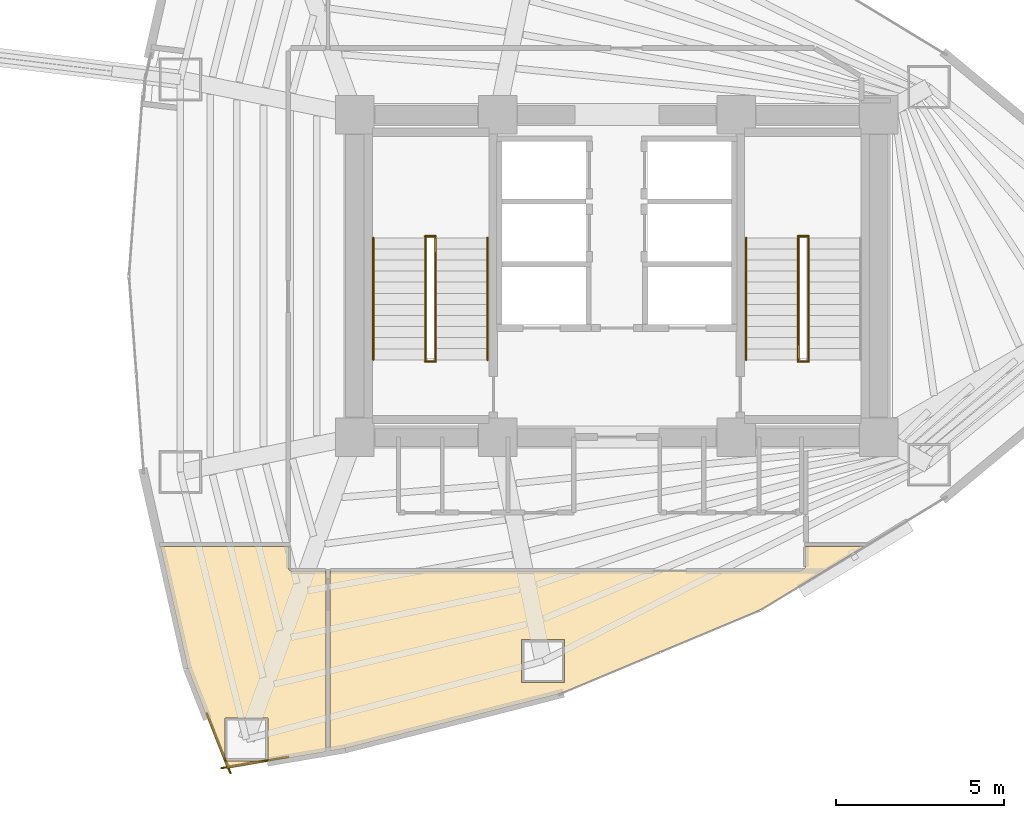
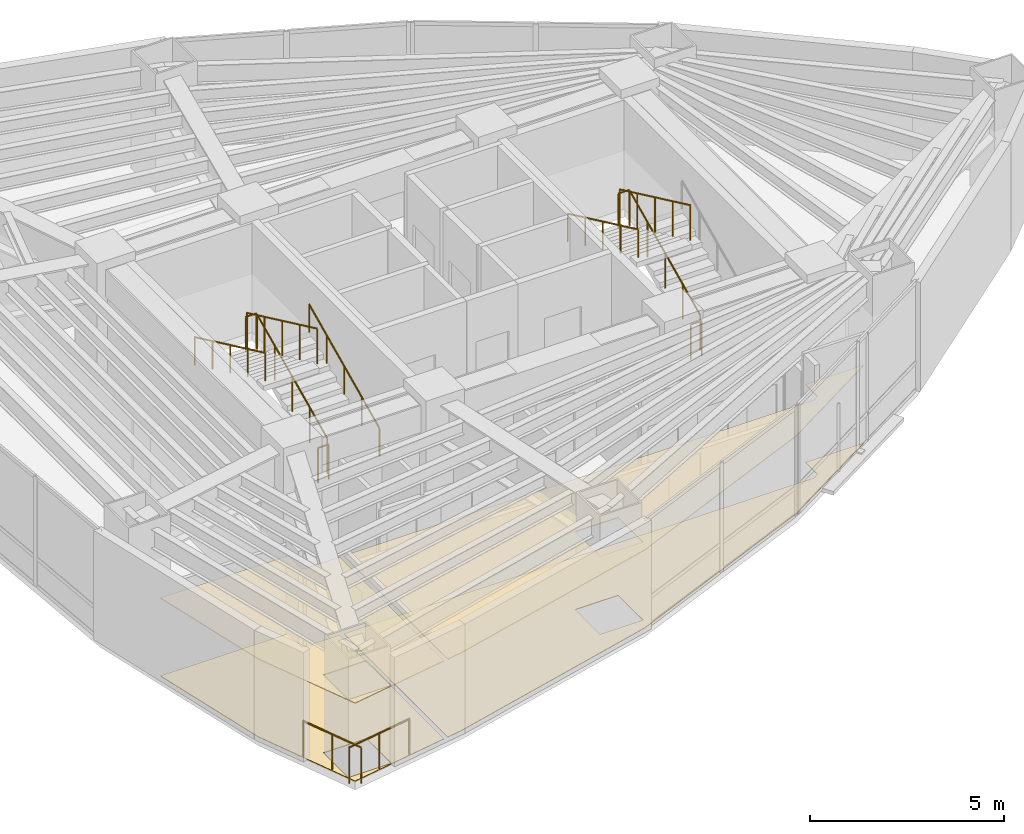
# One storey, part 15 of 17: 13 railings, 4 coverings.
"""IFC4 building model written with IfcOpenShell, lengths in metres."""

from ifc_helpers import new_model, si_unit, direction, frame, origin, origin_2d, place, context, subcontext, project, spatial, polyline, circle, outline, extrude, material, layer, layer_set, type_object, element, save


model = new_model("IFC4")

# Units and contexts
model_context = context("Model", 3, precision=1e-05, world=origin(), true_north=direction((0.0, 1.0)))
body_context = subcontext(model_context, "Body", "Model", "MODEL_VIEW")
ifc_project = project(units=[si_unit("LENGTHUNIT", "METRE"), si_unit("AREAUNIT", "SQUARE_METRE"), si_unit("VOLUMEUNIT", "CUBIC_METRE"), si_unit("PLANEANGLEUNIT", "RADIAN"), si_unit("MASSUNIT", "GRAM", prefix="KILO")], contexts=[model_context])

# Site, building, storey
site_placement = place(None, origin())
site = spatial("IfcSite", under=ifc_project, at=site_placement, CompositionType="ELEMENT")
building_placement = place(site_placement, origin())
building = spatial("IfcBuilding", under=site, at=building_placement, Name="Menara Vayukalpa", CompositionType="ELEMENT")
storey_placement = place(building_placement, frame((0.0, 0.0, 100.260009765625)))
storey = spatial("IfcBuildingStorey", under=building, at=storey_placement, Name="L24", CompositionType="ELEMENT", Elevation=100.260009765625)

# Coverings
ifc_material_1 = material(Name="Mineral Fibre Acoustic Ceiling Tile", Category="masonry")
ifc_layer_1 = layer(ifc_material_1, 0.02490234375)
ifc_layer_set_1 = layer_set([ifc_layer_1], Name="Mineral Fibre Acoustic Ceiling Tile")
covering_type_1 = type_object("IfcCoveringType", Name="COV-CLG1", PredefinedType="CEILING", material=ifc_layer_set_1)
covering_1_placement = place(storey_placement, frame((0.0, 0.0, 2.449951171875)))
element("IfcCovering", 1, at=covering_1_placement, inside=storey, type_object=covering_type_1, Name="L24 Executive Boardroom Acoustic Ceiling", PredefinedType="CEILING", context=body_context, shape_type="SweptSolid", body=[
    extrude(outline(polyline([(14.00634765625, 7.33642578125), (14.005615234375, 7.33642578125), (14.00439453125, 7.336669921875), (14.003662109375, 7.3369140625), (14.002685546875, 7.33740234375), (14.001708984375, 7.337646484375), (14.0009765625, 7.338134765625), (14.000244140625, 7.3388671875), (13.99951171875, 7.339599609375), (13.998779296875, 7.340087890625), (13.998291015625, 7.341064453125), (13.997802734375, 7.341796875), (13.997314453125, 7.3427734375), (12.831787109375, 10.310791015625), (12.83154296875, 10.3115234375), (12.831298828125, 10.312255859375), (12.017822265625, 13.927734375), (12.017578125, 13.9287109375), (12.017578125, 13.9296875), (12.017578125, 13.930908203125), (12.017822265625, 13.931884765625), (12.01806640625, 13.9326171875), (12.018310546875, 13.93359375), (12.018798828125, 13.9345703125), (12.019287109375, 13.935302734375), (12.019775390625, 13.936279296875), (12.0205078125, 13.93701171875), (12.021240234375, 13.937744140625), (12.02197265625, 13.938232421875), (12.022705078125, 13.938720703125), (12.023681640625, 13.939208984375), (12.024658203125, 13.939697265625), (12.025634765625, 13.939697265625), (12.026611328125, 13.93994140625), (12.027587890625, 13.93994140625), (15.820068359375, 13.93994140625), (15.821044921875, 13.93994140625), (15.822021484375, 13.939697265625), (15.822998046875, 13.939697265625), (15.82373046875, 13.939208984375), (15.82470703125, 13.938720703125), (15.82568359375, 13.938232421875), (15.826416015625, 13.937744140625), (15.8271484375, 13.93701171875), (15.82763671875, 13.936279296875), (15.828369140625, 13.935546875), (15.828857421875, 13.934814453125), (15.8291015625, 13.933837890625), (15.82958984375, 13.932861328125), (15.829833984375, 13.931884765625), (15.830078125, 13.930908203125), (15.830078125, 13.929931640625), (15.830078125, 13.290283203125), (15.830322265625, 13.283203125), (15.831298828125, 13.2763671875), (15.8330078125, 13.269775390625), (15.835205078125, 13.26318359375), (15.838134765625, 13.257080078125), (15.841796875, 13.251220703125), (15.845947265625, 13.24560546875), (15.8505859375, 13.240478515625), (15.85546875, 13.236083984375), (15.861083984375, 13.231689453125), (15.866943359375, 13.228271484375), (15.873291015625, 13.225341796875), (15.879638671875, 13.222900390625), (15.88623046875, 13.22119140625), (15.893310546875, 13.220458984375), (15.900390625, 13.219970703125), (16.929931640625, 13.219970703125), (16.930908203125, 13.219970703125), (16.931884765625, 13.2197265625), (16.932861328125, 13.219482421875), (16.933837890625, 13.21923828125), (16.934814453125, 13.21875), (16.935546875, 13.21826171875), (16.936279296875, 13.2177734375), (16.93701171875, 13.217041015625), (16.937744140625, 13.21630859375), (16.938232421875, 13.215576171875), (16.938720703125, 13.214599609375), (16.939208984375, 13.2138671875), (16.939697265625, 13.212890625), (16.939697265625, 13.2119140625), (16.93994140625, 13.2109375), (16.93994140625, 13.2099609375), (16.93994140625, 7.8427734375), (16.93994140625, 7.841796875), (16.939697265625, 7.8408203125), (16.939697265625, 7.839599609375), (16.939208984375, 7.8388671875), (16.938720703125, 7.837890625), (16.938232421875, 7.8369140625), (16.9375, 7.836181640625), (16.93701171875, 7.83544921875), (16.936279296875, 7.8349609375), (16.935302734375, 7.834228515625), (16.9345703125, 7.833740234375), (16.93359375, 7.83349609375), (16.9326171875, 7.8330078125), (16.931640625, 7.832763671875), (14.00830078125, 7.33642578125), (14.00732421875, 7.33642578125), (14.00634765625, 7.33642578125)]), holes=[polyline([(15.208984375, 8.842529296875), (13.92919921875, 8.842529296875), (13.92919921875, 7.5625), (15.208984375, 7.5625), (15.208984375, 8.842529296875)])]), origin(), (0.0, 0.0, 1.0), 0.025146484375),
])
covering_2_placement = place(storey_placement, frame((0.0, 0.0, 2.449951171875)))
element("IfcCovering", 2, at=covering_2_placement, inside=storey, type_object=covering_type_1, Name="L24 Digital Engineering Lab Acoustic Ceiling", PredefinedType="CEILING", context=body_context, shape_type="SweptSolid", body=[
    extrude(outline(polyline([(17.5087890625, 7.930908203125), (17.5078125, 7.9306640625), (17.07177734375, 7.8564453125), (17.07080078125, 7.8564453125), (17.06982421875, 7.8564453125), (17.06884765625, 7.8564453125), (17.06787109375, 7.856689453125), (17.06689453125, 7.85693359375), (17.06591796875, 7.857177734375), (17.065185546875, 7.857666015625), (17.064208984375, 7.858154296875), (17.0634765625, 7.85888671875), (17.062744140625, 7.859375), (17.062255859375, 7.860107421875), (17.0615234375, 7.86083984375), (17.06103515625, 7.86181640625), (17.060791015625, 7.862548828125), (17.060302734375, 7.863525390625), (17.060302734375, 7.864501953125), (17.06005859375, 7.865478515625), (17.06005859375, 7.866455078125), (17.06005859375, 13.2099609375), (17.06005859375, 13.2109375), (17.060302734375, 13.2119140625), (17.060302734375, 13.212890625), (17.060791015625, 13.2138671875), (17.061279296875, 13.214599609375), (17.061767578125, 13.215576171875), (17.062255859375, 13.21630859375), (17.06298828125, 13.217041015625), (17.063720703125, 13.2177734375), (17.064453125, 13.21826171875), (17.065185546875, 13.21875), (17.066162109375, 13.21923828125), (17.067138671875, 13.219482421875), (17.068115234375, 13.2197265625), (17.069091796875, 13.219970703125), (17.070068359375, 13.219970703125), (31.048828125, 13.219970703125), (31.055419921875, 13.22021484375), (31.0615234375, 13.22119140625), (31.06787109375, 13.22265625), (31.073974609375, 13.224609375), (31.079833984375, 13.22705078125), (31.085693359375, 13.230224609375), (31.186279296875, 13.29150390625), (31.192138671875, 13.295654296875), (31.19775390625, 13.30029296875), (31.202880859375, 13.305419921875), (31.207275390625, 13.31103515625), (31.2109375, 13.317138671875), (31.214111328125, 13.323486328125), (31.216796875, 13.330078125), (31.218505859375, 13.337158203125), (31.219482421875, 13.34423828125), (31.219970703125, 13.3515625), (31.219970703125, 13.929931640625), (31.219970703125, 13.930908203125), (31.22021484375, 13.931884765625), (31.220458984375, 13.932861328125), (31.220703125, 13.933837890625), (31.22119140625, 13.934814453125), (31.2216796875, 13.935546875), (31.222412109375, 13.936279296875), (31.222900390625, 13.93701171875), (31.2236328125, 13.937744140625), (31.224365234375, 13.938232421875), (31.225341796875, 13.938720703125), (31.226318359375, 13.939208984375), (31.22705078125, 13.939697265625), (31.22802734375, 13.939697265625), (31.22900390625, 13.93994140625), (31.22998046875, 13.93994140625), (32.9306640625, 13.93994140625), (32.931640625, 13.93994140625), (32.9326171875, 13.939697265625), (32.93359375, 13.939697265625), (32.9345703125, 13.939208984375), (32.935546875, 13.938720703125), (32.936279296875, 13.938232421875), (32.93701171875, 13.937744140625), (32.93798828125, 13.93701171875), (32.9384765625, 13.936279296875), (32.939208984375, 13.935302734375), (32.939697265625, 13.9345703125), (32.93994140625, 13.93359375), (32.940185546875, 13.9326171875), (32.940673828125, 13.931640625), (32.940673828125, 13.9306640625), (32.940673828125, 13.9296875), (32.940673828125, 13.9287109375), (32.9404296875, 13.927734375), (32.940185546875, 13.9267578125), (32.939697265625, 13.92578125), (32.939208984375, 13.925048828125), (32.938720703125, 13.924072265625), (32.938232421875, 13.92333984375), (32.9375, 13.922607421875), (32.936767578125, 13.922119140625), (32.935791015625, 13.92138671875), (29.862060546875, 12.05419921875), (29.861328125, 12.0537109375), (29.860595703125, 12.053466796875), (23.90478515625, 9.562255859375), (23.903564453125, 9.561767578125), (17.5087890625, 7.930908203125)]), holes=[polyline([(24.048095703125, 11.172607421875), (22.768310546875, 11.172607421875), (22.768310546875, 9.892578125), (24.048095703125, 9.892578125), (24.048095703125, 11.172607421875)])]), origin(), (0.0, 0.0, 1.0), 0.025146484375),
])
ifc_material_2 = material(Name="Porcelain Stoneware Floor Tile", Category="masonry")
ifc_layer_2 = layer(ifc_material_2, 0.02001953125)
ifc_layer_set_2 = layer_set([ifc_layer_2], Name="Porcelain Stoneware Floor Tile")
covering_type_2 = type_object("IfcCoveringType", Name="COV-FLR1", PredefinedType="FLOORING", material=ifc_layer_set_2)
covering_3_placement = place(storey_placement, origin())
element("IfcCovering", 3, at=covering_3_placement, inside=storey, type_object=covering_type_2, Name="L24 Executive Boardroom Porcelain Flooring", PredefinedType="FLOORING", context=body_context, shape_type="SweptSolid", body=[
    extrude(outline(polyline([(14.00634765625, 7.33642578125), (14.005615234375, 7.33642578125), (14.00439453125, 7.336669921875), (14.003662109375, 7.3369140625), (14.002685546875, 7.33740234375), (14.001708984375, 7.337646484375), (14.0009765625, 7.338134765625), (14.000244140625, 7.3388671875), (13.99951171875, 7.339599609375), (13.998779296875, 7.340087890625), (13.998291015625, 7.341064453125), (13.997802734375, 7.341796875), (13.997314453125, 7.3427734375), (12.831787109375, 10.310791015625), (12.83154296875, 10.3115234375), (12.831298828125, 10.312255859375), (12.017822265625, 13.927734375), (12.017578125, 13.9287109375), (12.017578125, 13.9296875), (12.017578125, 13.930908203125), (12.017822265625, 13.931884765625), (12.01806640625, 13.9326171875), (12.018310546875, 13.93359375), (12.018798828125, 13.9345703125), (12.019287109375, 13.935302734375), (12.019775390625, 13.936279296875), (12.0205078125, 13.93701171875), (12.021240234375, 13.937744140625), (12.02197265625, 13.938232421875), (12.022705078125, 13.938720703125), (12.023681640625, 13.939208984375), (12.024658203125, 13.939697265625), (12.025634765625, 13.939697265625), (12.026611328125, 13.93994140625), (12.027587890625, 13.93994140625), (15.820068359375, 13.93994140625), (15.821044921875, 13.93994140625), (15.822021484375, 13.939697265625), (15.822998046875, 13.939697265625), (15.82373046875, 13.939208984375), (15.82470703125, 13.938720703125), (15.82568359375, 13.938232421875), (15.826416015625, 13.937744140625), (15.8271484375, 13.93701171875), (15.82763671875, 13.936279296875), (15.828369140625, 13.935546875), (15.828857421875, 13.934814453125), (15.8291015625, 13.933837890625), (15.82958984375, 13.932861328125), (15.829833984375, 13.931884765625), (15.830078125, 13.930908203125), (15.830078125, 13.929931640625), (15.830078125, 13.290283203125), (15.830322265625, 13.283203125), (15.831298828125, 13.2763671875), (15.8330078125, 13.269775390625), (15.835205078125, 13.26318359375), (15.838134765625, 13.257080078125), (15.841796875, 13.251220703125), (15.845947265625, 13.24560546875), (15.8505859375, 13.240478515625), (15.85546875, 13.236083984375), (15.861083984375, 13.231689453125), (15.866943359375, 13.228271484375), (15.873291015625, 13.225341796875), (15.879638671875, 13.222900390625), (15.88623046875, 13.22119140625), (15.893310546875, 13.220458984375), (15.900390625, 13.219970703125), (16.929931640625, 13.219970703125), (16.930908203125, 13.219970703125), (16.931884765625, 13.2197265625), (16.932861328125, 13.219482421875), (16.933837890625, 13.21923828125), (16.934814453125, 13.21875), (16.935546875, 13.21826171875), (16.936279296875, 13.2177734375), (16.93701171875, 13.217041015625), (16.937744140625, 13.21630859375), (16.938232421875, 13.215576171875), (16.938720703125, 13.214599609375), (16.939208984375, 13.2138671875), (16.939697265625, 13.212890625), (16.939697265625, 13.2119140625), (16.93994140625, 13.2109375), (16.93994140625, 13.2099609375), (16.93994140625, 7.8427734375), (16.93994140625, 7.841796875), (16.939697265625, 7.8408203125), (16.939697265625, 7.839599609375), (16.939208984375, 7.8388671875), (16.938720703125, 7.837890625), (16.938232421875, 7.8369140625), (16.9375, 7.836181640625), (16.93701171875, 7.83544921875), (16.936279296875, 7.8349609375), (16.935302734375, 7.834228515625), (16.9345703125, 7.833740234375), (16.93359375, 7.83349609375), (16.9326171875, 7.8330078125), (16.931640625, 7.832763671875), (14.00830078125, 7.33642578125), (14.00732421875, 7.33642578125), (14.00634765625, 7.33642578125)]), holes=[polyline([(15.208984375, 8.842529296875), (13.92919921875, 8.842529296875), (13.92919921875, 7.5625), (15.208984375, 7.5625), (15.208984375, 8.842529296875)])]), origin(), (0.0, 0.0, 1.0), 0.02001953125),
])
covering_4_placement = place(storey_placement, origin())
element("IfcCovering", 4, at=covering_4_placement, inside=storey, type_object=covering_type_2, Name="L24 Digital Engineering Lab Porcelain Flooring", PredefinedType="FLOORING", context=body_context, shape_type="SweptSolid", body=[
    extrude(outline(polyline([(17.5087890625, 7.930908203125), (17.5078125, 7.9306640625), (17.07177734375, 7.8564453125), (17.07080078125, 7.8564453125), (17.06982421875, 7.8564453125), (17.06884765625, 7.8564453125), (17.06787109375, 7.856689453125), (17.06689453125, 7.85693359375), (17.06591796875, 7.857177734375), (17.065185546875, 7.857666015625), (17.064208984375, 7.858154296875), (17.0634765625, 7.85888671875), (17.062744140625, 7.859375), (17.062255859375, 7.860107421875), (17.0615234375, 7.86083984375), (17.06103515625, 7.86181640625), (17.060791015625, 7.862548828125), (17.060302734375, 7.863525390625), (17.060302734375, 7.864501953125), (17.06005859375, 7.865478515625), (17.06005859375, 7.866455078125), (17.06005859375, 13.2099609375), (17.06005859375, 13.2109375), (17.060302734375, 13.2119140625), (17.060302734375, 13.212890625), (17.060791015625, 13.2138671875), (17.061279296875, 13.214599609375), (17.061767578125, 13.215576171875), (17.062255859375, 13.21630859375), (17.06298828125, 13.217041015625), (17.063720703125, 13.2177734375), (17.064453125, 13.21826171875), (17.065185546875, 13.21875), (17.066162109375, 13.21923828125), (17.067138671875, 13.219482421875), (17.068115234375, 13.2197265625), (17.069091796875, 13.219970703125), (17.070068359375, 13.219970703125), (31.048828125, 13.219970703125), (31.055419921875, 13.22021484375), (31.0615234375, 13.22119140625), (31.06787109375, 13.22265625), (31.073974609375, 13.224609375), (31.079833984375, 13.22705078125), (31.085693359375, 13.230224609375), (31.186279296875, 13.29150390625), (31.192138671875, 13.295654296875), (31.19775390625, 13.30029296875), (31.202880859375, 13.305419921875), (31.207275390625, 13.31103515625), (31.2109375, 13.317138671875), (31.214111328125, 13.323486328125), (31.216796875, 13.330078125), (31.218505859375, 13.337158203125), (31.219482421875, 13.34423828125), (31.219970703125, 13.3515625), (31.219970703125, 13.929931640625), (31.219970703125, 13.930908203125), (31.22021484375, 13.931884765625), (31.220458984375, 13.932861328125), (31.220703125, 13.933837890625), (31.22119140625, 13.934814453125), (31.2216796875, 13.935546875), (31.222412109375, 13.936279296875), (31.222900390625, 13.93701171875), (31.2236328125, 13.937744140625), (31.224365234375, 13.938232421875), (31.225341796875, 13.938720703125), (31.226318359375, 13.939208984375), (31.22705078125, 13.939697265625), (31.22802734375, 13.939697265625), (31.22900390625, 13.93994140625), (31.22998046875, 13.93994140625), (32.9306640625, 13.93994140625), (32.931640625, 13.93994140625), (32.9326171875, 13.939697265625), (32.93359375, 13.939697265625), (32.9345703125, 13.939208984375), (32.935546875, 13.938720703125), (32.936279296875, 13.938232421875), (32.93701171875, 13.937744140625), (32.93798828125, 13.93701171875), (32.9384765625, 13.936279296875), (32.939208984375, 13.935302734375), (32.939697265625, 13.9345703125), (32.93994140625, 13.93359375), (32.940185546875, 13.9326171875), (32.940673828125, 13.931640625), (32.940673828125, 13.9306640625), (32.940673828125, 13.9296875), (32.940673828125, 13.9287109375), (32.9404296875, 13.927734375), (32.940185546875, 13.9267578125), (32.939697265625, 13.92578125), (32.939208984375, 13.925048828125), (32.938720703125, 13.924072265625), (32.938232421875, 13.92333984375), (32.9375, 13.922607421875), (32.936767578125, 13.922119140625), (32.935791015625, 13.92138671875), (29.862060546875, 12.05419921875), (29.861328125, 12.0537109375), (29.860595703125, 12.053466796875), (23.90478515625, 9.562255859375), (23.903564453125, 9.561767578125), (17.5087890625, 7.930908203125)]), holes=[polyline([(24.048095703125, 11.172607421875), (22.768310546875, 11.172607421875), (22.768310546875, 9.892578125), (24.048095703125, 9.892578125), (24.048095703125, 11.172607421875)])]), origin(), (0.0, 0.0, 1.0), 0.02001953125),
])

# Railings
ifc_material_3 = material(Name="Laminated Glass and Stainless Steel 316 Guardrail", Category="steel")
railing_type_1 = type_object("IfcRailingType", Name="RLG-EXT115", PredefinedType="GUARDRAIL", material=ifc_material_3)
railing_1_placement = place(storey_placement, frame((13.39990234375, 8.9736328125, 0.0)))
element("IfcRailing", 5, at=railing_1_placement, inside=storey, type_object=railing_type_1, Name="L24 Column Corner Spandrel Guardrail 13-1", PredefinedType="GUARDRAIL", context=body_context, shape_type="SweptSolid", body=[
    extrude(circle(Radius=0.02392578125, at=origin_2d()), frame((0.0, 0.0, 1.1259765625), z_axis=(0.365573386764, -0.930782519652, 0.0), x_axis=(0.930782519652, 0.365573386764, 0.0)), (0.0, 0.0, 1.0), 1.91259765625),
    extrude(circle(Radius=0.02099609375, at=origin_2d()), origin(), (0.0, 0.0, 1.0), 1.101806640625),
    extrude(circle(Radius=0.02099609375, at=origin_2d()), frame((0.349609375, -0.89013671875, 0.0)), (0.0, 0.0, 1.0), 1.101806640625),
    extrude(circle(Radius=0.02099609375, at=origin_2d()), frame((0.69921875, -1.7802734375, 0.0)), (0.0, 0.0, 1.0), 1.101806640625),
])
railing_2_placement = place(storey_placement, frame((13.827880859375, 7.346435546875, 0.0)))
element("IfcRailing", 6, at=railing_2_placement, inside=storey, type_object=railing_type_1, Name="L24 Column Corner Spandrel Guardrail 14-1", PredefinedType="GUARDRAIL", context=body_context, shape_type="SweptSolid", body=[
    extrude(circle(Radius=0.02392578125, at=origin_2d()), frame((0.0, 0.0, 1.1259765625), z_axis=(0.985895977605, 0.16735925831, 0.0), x_axis=(-0.16735925831, 0.985895977605, 0.0)), (0.0, 0.0, 1.0), 2.01904296875),
    extrude(circle(Radius=0.02099609375, at=origin_2d()), origin(), (0.0, 0.0, 1.0), 1.101806640625),
    extrude(circle(Radius=0.02099609375, at=origin_2d()), frame((0.9951171875, 0.1689453125, 0.0)), (0.0, 0.0, 1.0), 1.101806640625),
    extrude(circle(Radius=0.02099609375, at=origin_2d()), frame((1.990478515625, 0.337890625, 0.0)), (0.0, 0.0, 1.0), 1.101806640625),
])
ifc_material_4 = material(Name="Powder-Coated Galvanised Steel Guardrail", Category="steel")
railing_type_2 = type_object("IfcRailingType", Name="RLG-STG110", PredefinedType="GUARDRAIL", material=ifc_material_4)
railing_3_placement = place(storey_placement, frame((20.199951171875, 19.5, 0.155029296875)))
element("IfcRailing", 7, at=railing_3_placement, inside=storey, type_object=railing_type_2, Name="L24 ST-1 stair guard 1", PredefinedType="GUARDRAIL", context=body_context, shape_type="SweptSolid", body=[
    extrude(circle(Radius=0.02392578125, at=origin_2d()), frame((0.0, 0.0, 1.09619140625), z_axis=(0.0, 0.90511648382, 0.425163675209), x_axis=(-1.0, 0.0, 0.0)), (0.0, 0.0, 1.0), 4.010498046875),
    extrude(circle(Radius=0.02099609375, at=origin_2d()), origin(), (0.0, 0.0, 1.0), 1.072021484375),
    extrude(circle(Radius=0.02099609375, at=origin_2d()), frame((0.0, 0.907470703125, 0.42626953125)), (0.0, 0.0, 1.0), 1.072021484375),
    extrude(circle(Radius=0.02099609375, at=origin_2d()), frame((0.0, 1.81494140625, 0.8525390625)), (0.0, 0.0, 1.0), 1.072021484375),
    extrude(circle(Radius=0.02099609375, at=origin_2d()), frame((0.0, 2.722412109375, 1.27880859375)), (0.0, 0.0, 1.0), 1.072021484375),
    extrude(circle(Radius=0.02099609375, at=origin_2d()), frame((0.0, 3.6298828125, 1.705078125)), (0.0, 0.0, 1.0), 1.072021484375),
])
railing_4_placement = place(storey_placement, frame((20.2099609375, 23.179931640625, 1.860107421875)))
element("IfcRailing", 8, at=railing_4_placement, inside=storey, type_object=railing_type_2, Name="L24 ST-1 stair guard 2", PredefinedType="GUARDRAIL", context=body_context, shape_type="SweptSolid", body=[
    extrude(circle(Radius=0.02392578125, at=origin_2d()), frame((0.0, 0.0, 1.09619140625), z_axis=(-1.0, 0.0, 0.0), x_axis=(0.0, -1.0, 0.0)), (0.0, 0.0, 1.0), 0.320068359375),
    extrude(circle(Radius=0.02099609375, at=origin_2d()), origin(), (0.0, 0.0, 1.0), 1.072021484375),
    extrude(circle(Radius=0.02099609375, at=origin_2d()), frame((-0.320068359375, 0.0, 0.0)), (0.0, 0.0, 1.0), 1.072021484375),
])
railing_5_placement = place(storey_placement, frame((19.89990234375, 23.1298828125, 2.014892578125)))
element("IfcRailing", 9, at=railing_5_placement, inside=storey, type_object=railing_type_2, Name="L24 ST-1 stair guard 3", PredefinedType="GUARDRAIL", context=body_context, shape_type="SweptSolid", body=[
    extrude(circle(Radius=0.02392578125, at=origin_2d()), frame((0.0, 0.0, 1.09619140625), z_axis=(0.0, -0.90511648382, 0.425163675209), x_axis=(1.0, 0.0, 0.0)), (0.0, 0.0, 1.0), 4.010498046875),
    extrude(circle(Radius=0.02099609375, at=origin_2d()), origin(), (0.0, 0.0, 1.0), 1.072021484375),
    extrude(circle(Radius=0.02099609375, at=origin_2d()), frame((0.0, -0.907470703125, 0.42626953125)), (0.0, 0.0, 1.0), 1.072021484375),
    extrude(circle(Radius=0.02099609375, at=origin_2d()), frame((0.0, -1.81494140625, 0.8525390625)), (0.0, 0.0, 1.0), 1.072021484375),
    extrude(circle(Radius=0.02099609375, at=origin_2d()), frame((0.0, -2.722412109375, 1.27880859375)), (0.0, 0.0, 1.0), 1.072021484375),
    extrude(circle(Radius=0.02099609375, at=origin_2d()), frame((0.0, -3.6298828125, 1.705078125)), (0.0, 0.0, 1.0), 1.072021484375),
])
railing_6_placement = place(storey_placement, frame((20.2099609375, 19.449951171875, 0.0)))
element("IfcRailing", 10, at=railing_6_placement, inside=storey, type_object=railing_type_2, Name="L24 ST-1 stair guard 4", PredefinedType="GUARDRAIL", context=body_context, shape_type="SweptSolid", body=[
    extrude(circle(Radius=0.02392578125, at=origin_2d()), frame((0.0, 0.0, 1.09619140625), z_axis=(-1.0, 0.0, 0.0), x_axis=(0.0, -1.0, 0.0)), (0.0, 0.0, 1.0), 0.320068359375),
    extrude(circle(Radius=0.02099609375, at=origin_2d()), origin(), (0.0, 0.0, 1.0), 1.072021484375),
    extrude(circle(Radius=0.02099609375, at=origin_2d()), frame((-0.320068359375, 0.0, 0.0)), (0.0, 0.0, 1.0), 1.072021484375),
])
railing_7_placement = place(storey_placement, frame((31.300048828125, 19.5, 0.155029296875)))
element("IfcRailing", 11, at=railing_7_placement, inside=storey, type_object=railing_type_2, Name="L24 ST-2 stair guard 1", PredefinedType="GUARDRAIL", context=body_context, shape_type="SweptSolid", body=[
    extrude(circle(Radius=0.02392578125, at=origin_2d()), frame((0.0, 0.0, 1.09619140625), z_axis=(0.0, 0.90511648382, 0.425163675209), x_axis=(-1.0, 0.0, 0.0)), (0.0, 0.0, 1.0), 4.010498046875),
    extrude(circle(Radius=0.02099609375, at=origin_2d()), origin(), (0.0, 0.0, 1.0), 1.072021484375),
    extrude(circle(Radius=0.02099609375, at=origin_2d()), frame((0.0, 0.907470703125, 0.42626953125)), (0.0, 0.0, 1.0), 1.072021484375),
    extrude(circle(Radius=0.02099609375, at=origin_2d()), frame((0.0, 1.81494140625, 0.8525390625)), (0.0, 0.0, 1.0), 1.072021484375),
    extrude(circle(Radius=0.02099609375, at=origin_2d()), frame((0.0, 2.722412109375, 1.27880859375)), (0.0, 0.0, 1.0), 1.072021484375),
    extrude(circle(Radius=0.02099609375, at=origin_2d()), frame((0.0, 3.6298828125, 1.705078125)), (0.0, 0.0, 1.0), 1.072021484375),
])
railing_8_placement = place(storey_placement, frame((31.31005859375, 23.179931640625, 1.860107421875)))
element("IfcRailing", 12, at=railing_8_placement, inside=storey, type_object=railing_type_2, Name="L24 ST-2 stair guard 2", PredefinedType="GUARDRAIL", context=body_context, shape_type="SweptSolid", body=[
    extrude(circle(Radius=0.02392578125, at=origin_2d()), frame((0.0, 0.0, 1.09619140625), z_axis=(-1.0, 0.0, 0.0), x_axis=(0.0, -1.0, 0.0)), (0.0, 0.0, 1.0), 0.320068359375),
    extrude(circle(Radius=0.02099609375, at=origin_2d()), origin(), (0.0, 0.0, 1.0), 1.072021484375),
    extrude(circle(Radius=0.02099609375, at=origin_2d()), frame((-0.320068359375, 0.0, 0.0)), (0.0, 0.0, 1.0), 1.072021484375),
])
railing_9_placement = place(storey_placement, frame((31.0, 23.1298828125, 2.014892578125)))
element("IfcRailing", 13, at=railing_9_placement, inside=storey, type_object=railing_type_2, Name="L24 ST-2 stair guard 3", PredefinedType="GUARDRAIL", context=body_context, shape_type="SweptSolid", body=[
    extrude(circle(Radius=0.02392578125, at=origin_2d()), frame((0.0, 0.0, 1.09619140625), z_axis=(0.0, -0.90511648382, 0.425163675209), x_axis=(1.0, 0.0, 0.0)), (0.0, 0.0, 1.0), 4.010498046875),
    extrude(circle(Radius=0.02099609375, at=origin_2d()), origin(), (0.0, 0.0, 1.0), 1.072021484375),
    extrude(circle(Radius=0.02099609375, at=origin_2d()), frame((0.0, -0.907470703125, 0.42626953125)), (0.0, 0.0, 1.0), 1.072021484375),
    extrude(circle(Radius=0.02099609375, at=origin_2d()), frame((0.0, -1.81494140625, 0.8525390625)), (0.0, 0.0, 1.0), 1.072021484375),
    extrude(circle(Radius=0.02099609375, at=origin_2d()), frame((0.0, -2.722412109375, 1.27880859375)), (0.0, 0.0, 1.0), 1.072021484375),
    extrude(circle(Radius=0.02099609375, at=origin_2d()), frame((0.0, -3.6298828125, 1.705078125)), (0.0, 0.0, 1.0), 1.072021484375),
])
railing_10_placement = place(storey_placement, frame((31.31005859375, 19.449951171875, 0.0)))
element("IfcRailing", 14, at=railing_10_placement, inside=storey, type_object=railing_type_2, Name="L24 ST-2 stair guard 4", PredefinedType="GUARDRAIL", context=body_context, shape_type="SweptSolid", body=[
    extrude(circle(Radius=0.02392578125, at=origin_2d()), frame((0.0, 0.0, 1.09619140625), z_axis=(-1.0, 0.0, 0.0), x_axis=(0.0, -1.0, 0.0)), (0.0, 0.0, 1.0), 0.320068359375),
    extrude(circle(Radius=0.02099609375, at=origin_2d()), origin(), (0.0, 0.0, 1.0), 1.072021484375),
    extrude(circle(Radius=0.02099609375, at=origin_2d()), frame((-0.320068359375, 0.0, 0.0)), (0.0, 0.0, 1.0), 1.072021484375),
])
ifc_material_5 = material(Name="Stainless Steel 316 Tubular Handrail", Category="steel")
railing_type_3 = type_object("IfcRailingType", Name="RLG-STH090", PredefinedType="HANDRAIL", material=ifc_material_5)
railing_11_placement = place(storey_placement, frame((21.75, 19.5, 0.155029296875)))
element("IfcRailing", 15, at=railing_11_placement, inside=storey, type_object=railing_type_3, Name="L24 ST-1 stair handrail 1", PredefinedType="HANDRAIL", context=body_context, shape_type="SweptSolid", body=[
    extrude(circle(Radius=0.02392578125, at=origin_2d()), frame((0.0, 0.0, 0.8759765625), z_axis=(0.0, 0.90511648382, 0.425163675209), x_axis=(-1.0, 0.0, 0.0)), (0.0, 0.0, 1.0), 4.010498046875),
    extrude(circle(Radius=0.02099609375, at=origin_2d()), origin(), (0.0, 0.0, 1.0), 0.851806640625),
    extrude(circle(Radius=0.02099609375, at=origin_2d()), frame((0.0, 0.907470703125, 0.42626953125)), (0.0, 0.0, 1.0), 0.851806640625),
    extrude(circle(Radius=0.02099609375, at=origin_2d()), frame((0.0, 1.81494140625, 0.8525390625)), (0.0, 0.0, 1.0), 0.851806640625),
    extrude(circle(Radius=0.02099609375, at=origin_2d()), frame((0.0, 2.722412109375, 1.27880859375)), (0.0, 0.0, 1.0), 0.851806640625),
    extrude(circle(Radius=0.02099609375, at=origin_2d()), frame((0.0, 3.6298828125, 1.705078125)), (0.0, 0.0, 1.0), 0.851806640625),
])
for number, where, name in (
    (16, (18.35009765625, 23.1298828125, 2.014892578125), "L24 ST-1 stair handrail 2"),
    (17, (29.449951171875, 23.1298828125, 2.014892578125), "L24 ST-2 stair handrail 2"),
):
    element("IfcRailing", number, at=place(storey_placement, frame(where)), inside=storey, type_object=railing_type_3, Name=name, PredefinedType="HANDRAIL", context=body_context, shape_type="SweptSolid", body=[
        extrude(circle(Radius=0.02392578125, at=origin_2d()), frame((0.0, 0.0, 0.8759765625), z_axis=(0.0, -0.90511648382, 0.425163675209), x_axis=(1.0, 0.0, 0.0)), (0.0, 0.0, 1.0), 4.010498046875),
        extrude(circle(Radius=0.02099609375, at=origin_2d()), origin(), (0.0, 0.0, 1.0), 0.851806640625),
        extrude(circle(Radius=0.02099609375, at=origin_2d()), frame((0.0, -0.907470703125, 0.42626953125)), (0.0, 0.0, 1.0), 0.851806640625),
        extrude(circle(Radius=0.02099609375, at=origin_2d()), frame((0.0, -1.81494140625, 0.8525390625)), (0.0, 0.0, 1.0), 0.851806640625),
        extrude(circle(Radius=0.02099609375, at=origin_2d()), frame((0.0, -2.722412109375, 1.27880859375)), (0.0, 0.0, 1.0), 0.851806640625),
        extrude(circle(Radius=0.02099609375, at=origin_2d()), frame((0.0, -3.6298828125, 1.705078125)), (0.0, 0.0, 1.0), 0.851806640625),
    ])

save(model, "model.ifc")
